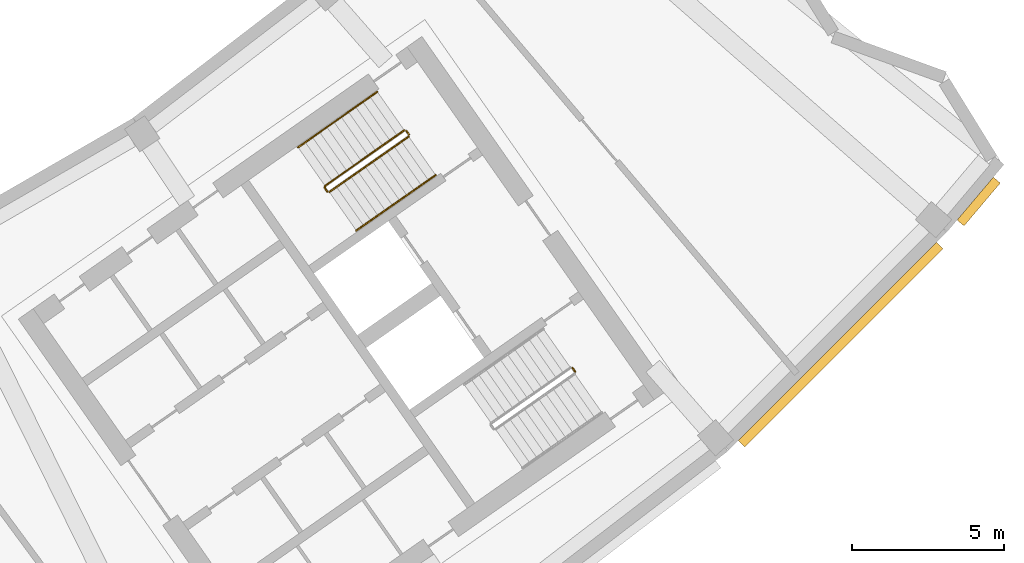
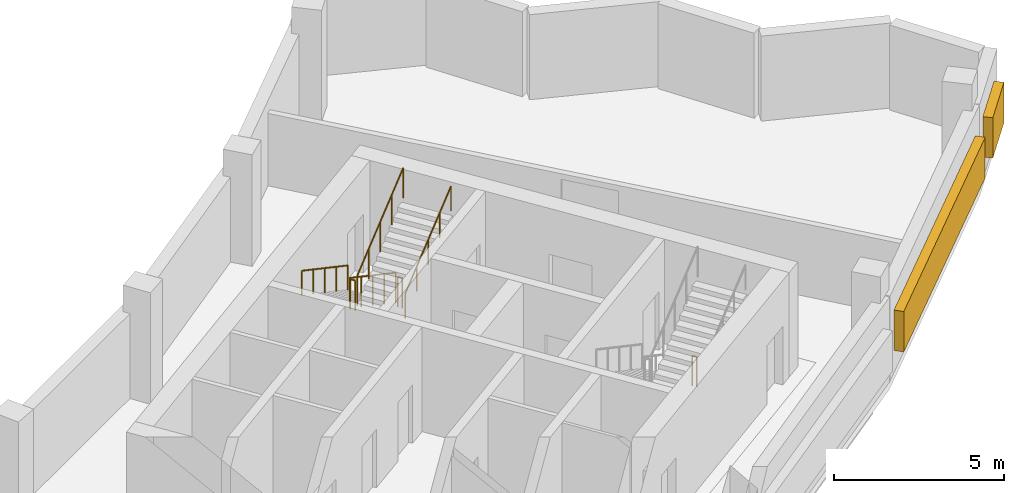
# One storey, part 11 of 11: 6 railings, 2 shading devices.
"""IFC4 building model written with IfcOpenShell, lengths in metres."""

import ifcopenshell
import ifcopenshell.guid

model = None  # the IFC model being written
_history = None  # IfcOwnerHistory: only IFC2X3 demands one
_inside = {}  # id of a spatial element -> (the spatial element, [elements in it])
_under = {}  # id of a project, library or spatial element -> (it, [spatial elements below it])
_declared = {}  # id of a project -> (the project, [libraries it declares])
_typed = {}  # id of a type object -> (the type object, [elements of that type])
_made_of = {}  # id of a material, layer set ... -> (it, [elements and type objects made of it])


def new_model(schema):
    """Start an empty IFC model of exactly this schema.

    Asked for "IFC4X3", IfcOpenShell would pick the latest addendum, in which some entities
    have other attributes; the version numbers below select the first issue.
    IFC2X3 requires an IfcOwnerHistory on every rooted entity: one is made here for all.
    """
    global model, _history
    if schema == "IFC4X3":
        model = ifcopenshell.file(schema_version=(4, 3, 0, 0))
    else:
        model = ifcopenshell.file(schema=schema)
    _inside.clear()
    _under.clear()
    _declared.clear()
    _typed.clear()
    _made_of.clear()
    _history = None
    if model.schema == "IFC2X3":
        org = make("IfcOrganization", Name="unknown")
        user = make(
            "IfcPersonAndOrganization",
            ThePerson=make("IfcPerson", FamilyName="unknown"),
            TheOrganization=org,
        )
        app = make(
            "IfcApplication",
            ApplicationDeveloper=org,
            Version="unknown",
            ApplicationFullName="unknown",
            ApplicationIdentifier="unknown",
        )
        _history = make(
            "IfcOwnerHistory",
            OwningUser=user,
            OwningApplication=app,
            ChangeAction="ADDED",
            CreationDate=0,
        )
    return model


def make(cls, **values):
    """One entity of the class cls with the attributes given. An attribute that is None is left unset."""
    return model.create_entity(
        cls, **{name: value for name, value in values.items() if value is not None}
    )


def rooted(cls, **values):
    """An entity with a GlobalId (a new one), such as an element, a storey or a relation."""
    return make(cls, GlobalId=ifcopenshell.guid.new(), OwnerHistory=_history, **values)


def si_unit(unit_type, name, prefix=None):
    """IfcSIUnit, for example si_unit("LENGTHUNIT", "METRE", prefix="MILLI")."""
    return make("IfcSIUnit", UnitType=unit_type, Prefix=prefix, Name=name)


def assignment(units):
    """IfcUnitAssignment: the units of a project."""
    return None if units is None else make("IfcUnitAssignment", Units=units)


def point(xyz):
    """IfcCartesianPoint."""
    return None if xyz is None else make("IfcCartesianPoint", Coordinates=xyz)


def direction(xyz):
    """IfcDirection."""
    return None if xyz is None else make("IfcDirection", DirectionRatios=xyz)


def frame(location, z_axis=None, x_axis=None):
    """IfcAxis2Placement3D, a coordinate frame: its origin and axes. An axis left out is left unset."""
    return make(
        "IfcAxis2Placement3D",
        Location=point(location),
        Axis=direction(z_axis),
        RefDirection=direction(x_axis),
    )


def frame_2d(location, x_axis=None):
    """IfcAxis2Placement2D, a coordinate frame in the plane: its origin and x axis."""
    return make(
        "IfcAxis2Placement2D", Location=point(location), RefDirection=direction(x_axis)
    )


def origin():
    """The frame at (0, 0, 0) with its axes left unset."""
    return frame((0.0, 0.0, 0.0))


def origin_2d():
    """The frame at (0, 0) in the plane with its x axis left unset."""
    return frame_2d((0.0, 0.0))


def place(relative_to, where):
    """IfcLocalPlacement: puts the frame where relative to a parent placement (None: the world)."""
    return make(
        "IfcLocalPlacement", PlacementRelTo=relative_to, RelativePlacement=where
    )


def context(
    kind, dimensions, precision=None, world=None, true_north=None, identifier=None
):
    """IfcGeometricRepresentationContext, for example the 3D "Model" context."""
    return make(
        "IfcGeometricRepresentationContext",
        ContextIdentifier=identifier,
        ContextType=kind,
        CoordinateSpaceDimension=dimensions,
        Precision=precision,
        WorldCoordinateSystem=world,
        TrueNorth=true_north,
    )


def subcontext(parent, identifier, kind, view, scale=None):
    """IfcGeometricRepresentationSubContext, for example "Body" below "Model"."""
    return make(
        "IfcGeometricRepresentationSubContext",
        ContextIdentifier=identifier,
        ContextType=kind,
        ParentContext=parent,
        TargetScale=scale,
        TargetView=view,
    )


def project(units=None, contexts=None):
    """IfcProject with its units and contexts."""
    return rooted(
        "IfcProject",
        Name="project",
        RepresentationContexts=contexts,
        UnitsInContext=assignment(units),
    )


def spatial(cls, under=None, at=None, **own):
    """A site, building, storey or space (cls), placed at a placement, below another one or the project."""
    s = rooted(cls, ObjectPlacement=at, **own)
    if under is not None:
        _under.setdefault(under.id(), (under, []))[1].append(s)
    return s


def profile(cls, at=None, kind="AREA", **sizes):
    """A parametric profile (cls). Its sizes go by their IFC names, for example OverallWidth=200.0."""
    return make(cls, ProfileType=kind, Position=at, **sizes)


def rectangle(**sizes):
    """IfcRectangleProfileDef."""
    return profile("IfcRectangleProfileDef", **sizes)


def circle(**sizes):
    """IfcCircleProfileDef."""
    return profile("IfcCircleProfileDef", **sizes)


def extrude(swept, where, along, depth):
    """IfcExtrudedAreaSolid: the profile swept, set in the frame where, extruded along a direction by depth."""
    return make(
        "IfcExtrudedAreaSolid",
        SweptArea=swept,
        Position=where,
        ExtrudedDirection=direction(along),
        Depth=depth,
    )


def shape(context_of_items, identifier, shape_type, items):
    """IfcShapeRepresentation: the items that make up one representation, for example the "Body"."""
    return make(
        "IfcShapeRepresentation",
        ContextOfItems=context_of_items,
        RepresentationIdentifier=identifier,
        RepresentationType=shape_type,
        Items=items,
    )


def material(Name=None, Category=None):
    """IfcMaterial."""
    return make("IfcMaterial", Name=Name, Category=Category)


def made_of(thing, what):
    """Note that an element or type object is made of a material, layer set ...; save() writes the relation."""
    if what is not None:
        _made_of.setdefault(what.id(), (what, []))[1].append(thing)
    return thing


def type_object(cls, material=None, **own):
    """A type object (cls), such as IfcWallType, which elements share."""
    return made_of(rooted(cls, **own), material)


def element(
    cls,
    number,
    at=None,
    inside=None,
    cuts=None,
    type_object=None,
    material=None,
    context=None,
    identifier="Body",
    shape_type=None,
    held_by="IfcProductDefinitionShape",
    body=None,
    shapes=None,
    **own,
):
    """One element of the class cls, such as IfcWall. Its Tag is "e" and its number.

    at: its placement. inside: the storey or other place that contains it. cuts: it is an
    opening in that element (IfcRelVoidsElement). A single representation is given by context,
    identifier, shape_type and body (its items); several are given by shapes. held_by: the class
    of the entity that holds the representations. save() writes the other relations.
    """
    e = rooted(cls, Tag="e%d" % number, ObjectPlacement=at, **own)
    if body is not None:
        shapes = [shape(context, identifier, shape_type, body)]
    if shapes is not None:
        e.Representation = make(held_by, Representations=shapes)
    if inside is not None:
        _inside.setdefault(inside.id(), (inside, []))[1].append(e)
    if cuts is not None:
        rooted(
            "IfcRelVoidsElement", RelatingBuildingElement=cuts, RelatedOpeningElement=e
        )
    if type_object is not None:
        _typed.setdefault(type_object.id(), (type_object, []))[1].append(e)
    return made_of(e, material)


def aggregate(whole, parts):
    """IfcRelAggregates: a whole, such as a stair, and the parts it consists of."""
    return rooted("IfcRelAggregates", RelatingObject=whole, RelatedObjects=parts)


def save(model, path):
    """Write the relations noted so far, then the file.

    IfcRelAggregates (storeys below a building ...), IfcRelContainedInSpatialStructure (elements
    in a storey), IfcRelDefinesByType, IfcRelAssociatesMaterial and IfcRelDeclares: one each for
    every whole, place, type object, material and project.
    """
    for whole, parts in _under.values():
        aggregate(whole, parts)
    for where, things in _inside.values():
        rooted(
            "IfcRelContainedInSpatialStructure",
            RelatedElements=things,
            RelatingStructure=where,
        )
    for kind, things in _typed.values():
        rooted("IfcRelDefinesByType", RelatedObjects=things, RelatingType=kind)
    for what, things in _made_of.values():
        rooted("IfcRelAssociatesMaterial", RelatedObjects=things, RelatingMaterial=what)
    for by, libraries in _declared.values():
        rooted("IfcRelDeclares", RelatingContext=by, RelatedDefinitions=libraries)
    model.write(path)


model = new_model("IFC4")

# Units and contexts
model_context = context("Model", 3, precision=1e-05, world=origin(), true_north=direction((0.0, 1.0)))
body_context = subcontext(model_context, "Body", "Model", "MODEL_VIEW")
ifc_project = project(units=[si_unit("LENGTHUNIT", "METRE"), si_unit("AREAUNIT", "SQUARE_METRE"), si_unit("VOLUMEUNIT", "CUBIC_METRE"), si_unit("PLANEANGLEUNIT", "RADIAN"), si_unit("MASSUNIT", "GRAM", prefix="KILO")], contexts=[model_context])

# Site, building, storey
site_placement = place(None, origin())
site = spatial("IfcSite", under=ifc_project, at=site_placement, CompositionType="ELEMENT")
building_placement = place(site_placement, origin())
building = spatial("IfcBuilding", under=site, at=building_placement, Name="Qamariyya Broadcast Tower", CompositionType="ELEMENT")
storey_placement = place(building_placement, frame((0.0, 0.0, 310.699951171875)))
storey = spatial("IfcBuildingStorey", under=building, at=storey_placement, Name="L75", CompositionType="ELEMENT", Elevation=310.699951171875)

# Railings
ifc_material_1 = material(Name="Painted steel", Category="steel")
railing_type_1 = type_object("IfcRailingType", Name="Stair guard", PredefinedType="GUARDRAIL", material=ifc_material_1)
railing_1_placement = place(storey_placement, frame((41.003173828125, -48.320068359375, 0.166748046875)))
element("IfcRailing", 1, at=railing_1_placement, inside=storey, type_object=railing_type_1, Name="L75 ST-E2 stair guard 1", PredefinedType="GUARDRAIL", context=body_context, shape_type="SweptSolid", body=[
    extrude(circle(Radius=0.02392578125, at=origin_2d()), frame((0.0, 0.0, 1.076171875), z_axis=(-0.710204256923, -0.497335411159, 0.498264389913), x_axis=(0.573611290809, -0.819127637829, 0.0)), (0.0, 0.0, 1.0), 3.67919921875),
    extrude(circle(Radius=0.02392578125, at=origin_2d()), frame((-2.613037109375, -1.829833984375, 2.9091796875), z_axis=(-0.172799478008, -0.984957024646, 0.0), x_axis=(0.984957024646, -0.172799478008, 0.0)), (0.0, 0.0, 1.0), 0.070556640625),
    extrude(circle(Radius=0.02392578125, at=origin_2d()), frame((-2.625244140625, -1.8994140625, 2.9091796875), z_axis=(0.573353020881, -0.819308436089, 0.0), x_axis=(0.819308436089, 0.573353020881, 0.0)), (0.0, 0.0, 1.0), 0.14990234375),
    extrude(circle(Radius=0.02099609375, at=origin_2d()), origin(), (0.0, 0.0, 1.0), 1.052001953125),
    extrude(circle(Radius=0.02099609375, at=origin_2d()), frame((-0.6533203125, -0.45751953125, 0.458251953125)), (0.0, 0.0, 1.0), 1.052001953125),
    extrude(circle(Radius=0.02099609375, at=origin_2d()), frame((-1.306640625, -0.9150390625, 0.91650390625)), (0.0, 0.0, 1.0), 1.052001953125),
    extrude(circle(Radius=0.02099609375, at=origin_2d()), frame((-1.959716796875, -1.372314453125, 1.375)), (0.0, 0.0, 1.0), 1.052001953125),
    extrude(circle(Radius=0.02099609375, at=origin_2d()), frame((-2.613037109375, -1.829833984375, 1.833251953125)), (0.0, 0.0, 1.0), 1.052001953125),
    extrude(circle(Radius=0.02099609375, at=origin_2d()), frame((-2.625244140625, -1.8994140625, 1.833251953125)), (0.0, 0.0, 1.0), 1.052001953125),
    extrude(circle(Radius=0.02099609375, at=origin_2d()), frame((-2.539306640625, -2.022216796875, 1.833251953125)), (0.0, 0.0, 1.0), 1.052001953125),
])
railing_2_placement = place(storey_placement, frame((38.53369140625, -50.3544921875, 2.166748046875)))
element("IfcRailing", 2, at=railing_2_placement, inside=storey, type_object=railing_type_1, Name="L75 ST-E2 stair guard 2", PredefinedType="GUARDRAIL", context=body_context, shape_type="SweptSolid", body=[
    extrude(circle(Radius=0.02392578125, at=origin_2d()), frame((0.0, 0.0, 1.076171875), z_axis=(0.710227693972, 0.497285465629, 0.498280832854), x_axis=(-0.573559936391, 0.819163597438, 0.0)), (0.0, 0.0, 1.0), 3.67919921875),
    extrude(circle(Radius=0.02099609375, at=origin_2d()), origin(), (0.0, 0.0, 1.0), 1.052001953125),
    extrude(circle(Radius=0.02099609375, at=origin_2d()), frame((0.6533203125, 0.45751953125, 0.458251953125)), (0.0, 0.0, 1.0), 1.052001953125),
    extrude(circle(Radius=0.02099609375, at=origin_2d()), frame((1.306640625, 0.914794921875, 0.91650390625)), (0.0, 0.0, 1.0), 1.052001953125),
    extrude(circle(Radius=0.02099609375, at=origin_2d()), frame((1.959716796875, 1.3720703125, 1.375)), (0.0, 0.0, 1.0), 1.052001953125),
    extrude(circle(Radius=0.02099609375, at=origin_2d()), frame((2.613037109375, 1.82958984375, 1.833251953125)), (0.0, 0.0, 1.0), 1.052001953125),
])
railing_3_placement = place(storey_placement, frame((41.072998046875, -48.332275390625, 0.0)))
element("IfcRailing", 3, at=railing_3_placement, inside=storey, type_object=railing_type_1, Name="L75 ST-E2 stair guard 3", PredefinedType="GUARDRAIL", context=body_context, shape_type="SweptSolid", body=[
    extrude(circle(Radius=0.02392578125, at=origin_2d()), frame((0.0, 0.0, 1.076171875), z_axis=(0.572588637393, -0.819842821722, 0.0), x_axis=(0.819842821722, 0.572588637393, 0.0)), (0.0, 0.0, 1.0), 0.150146484375),
    extrude(circle(Radius=0.02099609375, at=origin_2d()), origin(), (0.0, 0.0, 1.0), 1.052001953125),
    extrude(circle(Radius=0.02099609375, at=origin_2d()), frame((0.0859375, -0.123046875, 0.0)), (0.0, 0.0, 1.0), 1.052001953125),
])
railing_4_placement = place(storey_placement, frame((46.550537109375, -56.1552734375, 0.0)))
element("IfcRailing", 4, at=railing_4_placement, inside=storey, type_object=railing_type_1, Name="L75 ST-E1 stair guard 3", PredefinedType="GUARDRAIL", context=body_context, shape_type="SweptSolid", body=[
    extrude(circle(Radius=0.02392578125, at=origin_2d()), frame((0.0, 0.0, 1.076171875), z_axis=(0.574444878118, -0.818543268254, 0.0), x_axis=(0.818543268254, 0.574444878118, 0.0)), (0.0, 0.0, 1.0), 0.150146484375),
    extrude(circle(Radius=0.02099609375, at=origin_2d()), origin(), (0.0, 0.0, 1.0), 1.052001953125),
    extrude(circle(Radius=0.02099609375, at=origin_2d()), frame((0.086181640625, -0.122802734375, 0.0)), (0.0, 0.0, 1.0), 1.052001953125),
])
ifc_material_2 = material(Name="Stainless steel", Category="steel")
railing_type_2 = type_object("IfcRailingType", Name="Stair handrail", PredefinedType="HANDRAIL", material=ifc_material_2)
railing_5_placement = place(storey_placement, frame((40.1142578125, -47.05029296875, 0.166748046875)))
element("IfcRailing", 5, at=railing_5_placement, inside=storey, type_object=railing_type_2, Name="L75 ST-E2 stair handrail 1", PredefinedType="HANDRAIL", context=body_context, shape_type="SweptSolid", body=[
    extrude(circle(Radius=0.02392578125, at=origin_2d()), frame((0.0, 0.0, 0.8759765625), z_axis=(-0.710204256923, -0.497335411159, 0.498264389913), x_axis=(0.573611290809, -0.819127637829, 0.0)), (0.0, 0.0, 1.0), 3.67919921875),
    extrude(circle(Radius=0.02099609375, at=origin_2d()), origin(), (0.0, 0.0, 1.0), 0.851806640625),
    extrude(circle(Radius=0.02099609375, at=origin_2d()), frame((-0.6533203125, -0.45751953125, 0.458251953125)), (0.0, 0.0, 1.0), 0.851806640625),
    extrude(circle(Radius=0.02099609375, at=origin_2d()), frame((-1.306640625, -0.9150390625, 0.91650390625)), (0.0, 0.0, 1.0), 0.851806640625),
    extrude(circle(Radius=0.02099609375, at=origin_2d()), frame((-1.959716796875, -1.372314453125, 1.375)), (0.0, 0.0, 1.0), 0.851806640625),
    extrude(circle(Radius=0.02099609375, at=origin_2d()), frame((-2.613037109375, -1.829833984375, 1.833251953125)), (0.0, 0.0, 1.0), 0.851806640625),
])
railing_6_placement = place(storey_placement, frame((39.422607421875, -51.624267578125, 2.166748046875)))
element("IfcRailing", 6, at=railing_6_placement, inside=storey, type_object=railing_type_2, Name="L75 ST-E2 stair handrail 2", PredefinedType="HANDRAIL", context=body_context, shape_type="SweptSolid", body=[
    extrude(circle(Radius=0.02392578125, at=origin_2d()), frame((0.0, 0.0, 0.8759765625), z_axis=(0.710204256923, 0.497335411159, 0.498264389913), x_axis=(-0.573611290809, 0.819127637829, 0.0)), (0.0, 0.0, 1.0), 3.67919921875),
    extrude(circle(Radius=0.02099609375, at=origin_2d()), origin(), (0.0, 0.0, 1.0), 0.851806640625),
    extrude(circle(Radius=0.02099609375, at=origin_2d()), frame((0.6533203125, 0.45751953125, 0.458251953125)), (0.0, 0.0, 1.0), 0.851806640625),
    extrude(circle(Radius=0.02099609375, at=origin_2d()), frame((1.306640625, 0.9150390625, 0.91650390625)), (0.0, 0.0, 1.0), 0.851806640625),
    extrude(circle(Radius=0.02099609375, at=origin_2d()), frame((1.959716796875, 1.372314453125, 1.375)), (0.0, 0.0, 1.0), 0.851806640625),
    extrude(circle(Radius=0.02099609375, at=origin_2d()), frame((2.613037109375, 1.829833984375, 1.833251953125)), (0.0, 0.0, 1.0), 0.851806640625),
])

# Shading devices
ifc_material_3 = material(Name="Glazed terracotta", Category="masonry")
shading_device_type = type_object("IfcShadingDeviceType", Name="Terracotta louvre bank", PredefinedType="USERDEFINED", material=ifc_material_3)
shading_device_1_placement = place(storey_placement, frame((55.38916015625, -55.38916015625, 0.80029296875), z_axis=(0.0, 0.0, 1.0), x_axis=(0.707106781187, 0.707106781187, 0.0)))
element("IfcShadingDevice", 7, at=shading_device_1_placement, inside=storey, type_object=shading_device_type, Name="e-lv-L75-13", ObjectType="LOUVRE", PredefinedType="USERDEFINED", context=body_context, shape_type="SweptSolid", body=[
    extrude(rectangle(XDim=9.248779296875, YDim=0.300048828125, at=origin_2d()), origin(), (0.0, 0.0, 1.0), 1.449951171875),
])
shading_device_2_placement = place(storey_placement, frame((59.94140625, -50.66796875, 0.80029296875), z_axis=(0.0, 0.0, 1.0), x_axis=(0.645559567332, 0.763709922042, 0.0)))
element("IfcShadingDevice", 8, at=shading_device_2_placement, inside=storey, type_object=shading_device_type, Name="e-lv-L75-14", ObjectType="LOUVRE", PredefinedType="USERDEFINED", context=body_context, shape_type="SweptSolid", body=[
    extrude(rectangle(XDim=1.8505859375, YDim=0.300048828125, at=origin_2d()), origin(), (0.0, 0.0, 1.0), 1.449951171875),
])

save(model, "model.ifc")
